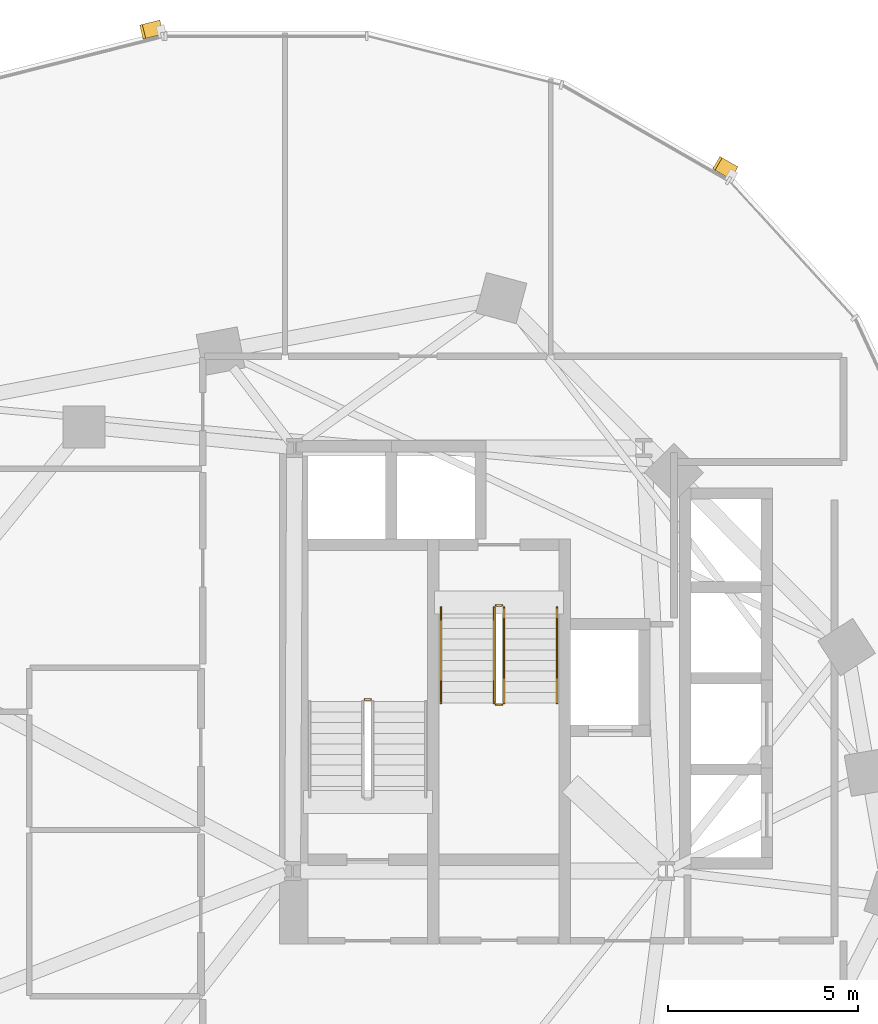
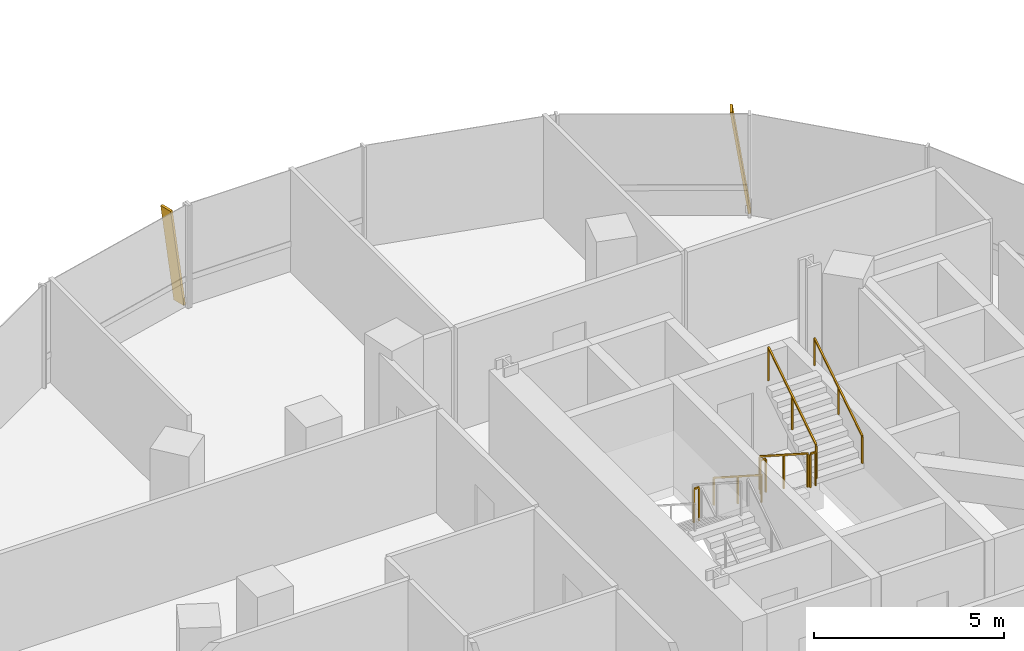
# One storey, part 19 of 21: 7 railings, 2 shading devices.
"""IFC4 building model written with IfcOpenShell, lengths in metres."""

from ifc_helpers import new_model, si_unit, direction, frame, origin, origin_2d, place, context, subcontext, project, spatial, rectangle, extrude, material, material_profile, profile_set, type_object, element, save


model = new_model("IFC4")

# Units and contexts
model_context = context("Model", 3, precision=1e-05, world=origin(), true_north=direction((0.0, 1.0)))
body_context = subcontext(model_context, "Body", "Model", "MODEL_VIEW")
ifc_project = project(units=[si_unit("LENGTHUNIT", "METRE"), si_unit("AREAUNIT", "SQUARE_METRE"), si_unit("VOLUMEUNIT", "CUBIC_METRE"), si_unit("PLANEANGLEUNIT", "RADIAN"), si_unit("MASSUNIT", "GRAM", prefix="KILO"), si_unit("THERMODYNAMICTEMPERATUREUNIT", "KELVIN"), si_unit("POWERUNIT", "WATT")], contexts=[model_context])

# Site, building, storey
site_placement = place(None, origin())
site = spatial("IfcSite", under=ifc_project, at=site_placement, CompositionType="ELEMENT")
building_placement = place(site_placement, origin())
building = spatial("IfcBuilding", under=site, at=building_placement, Name="Cundina Bronze Exchange", CompositionType="ELEMENT")
storey_placement = place(building_placement, frame((0.0, 0.0, 117.800048828125)))
storey = spatial("IfcBuildingStorey", under=building, at=storey_placement, Name="L30", CompositionType="ELEMENT", Elevation=117.800048828125)

# Railings
ifc_material_1 = material(Name="Steel ASTM A36 Painted", Category="steel")
railing_type_1 = type_object("IfcRailingType", Name="RLG-HND-900", PredefinedType="HANDRAIL", material=ifc_material_1)
railing_1_placement = place(storey_placement, frame((-27.389892578125, 10.85009765625, 0.179931640625)))
element("IfcRailing", 1, at=railing_1_placement, inside=storey, type_object=railing_type_1, Name="L30 ST-W2 stair handrail 1", PredefinedType="HANDRAIL", context=body_context, shape_type="SweptSolid", body=[
    extrude(rectangle(XDim=0.048095703125, YDim=0.048095703125, at=origin_2d()), frame((0.0, 0.0, 0.8759765625), z_axis=(0.0, -0.841162588446, 0.540782303519), x_axis=(1.0, 0.0, 0.0)), (0.0, 0.0, 1.0), 2.995849609375),
    extrude(rectangle(XDim=0.0419921875, YDim=0.0419921875, at=origin_2d()), origin(), (0.0, 0.0, 1.0), 0.851806640625),
    extrude(rectangle(XDim=0.0419921875, YDim=0.0419921875, at=origin_2d()), frame((0.0, -1.260009765625, 0.81005859375)), (0.0, 0.0, 1.0), 0.851806640625),
    extrude(rectangle(XDim=0.0419921875, YDim=0.0419921875, at=origin_2d()), frame((0.0, -2.52001953125, 1.6201171875)), (0.0, 0.0, 1.0), 0.851806640625),
])
railing_2_placement = place(storey_placement, frame((-24.330078125, 8.330078125, 1.97998046875)))
element("IfcRailing", 2, at=railing_2_placement, inside=storey, type_object=railing_type_1, Name="L30 ST-W2 stair handrail 2", PredefinedType="HANDRAIL", context=body_context, shape_type="SweptSolid", body=[
    extrude(rectangle(XDim=0.048095703125, YDim=0.048095703125, at=origin_2d()), frame((0.0, 0.0, 0.8759765625), z_axis=(0.0, 0.841199657755, 0.540724639528), x_axis=(-1.0, 0.0, 0.0)), (0.0, 0.0, 1.0), 2.995849609375),
    extrude(rectangle(XDim=0.0419921875, YDim=0.0419921875, at=origin_2d()), origin(), (0.0, 0.0, 1.0), 0.851806640625),
    extrude(rectangle(XDim=0.0419921875, YDim=0.0419921875, at=origin_2d()), frame((0.0, 1.260009765625, 0.81005859375)), (0.0, 0.0, 1.0), 0.851806640625),
    extrude(rectangle(XDim=0.0419921875, YDim=0.0419921875, at=origin_2d()), frame((0.0, 2.52001953125, 1.619873046875)), (0.0, 0.0, 1.0), 0.851806640625),
])
railing_type_2 = type_object("IfcRailingType", Name="RLG-STG-1100", PredefinedType="GUARDRAIL", material=ifc_material_1)
railing_3_placement = place(storey_placement, frame((-29.239990234375, 8.419921875, 1.800048828125)))
element("IfcRailing", 3, at=railing_3_placement, inside=storey, type_object=railing_type_2, Name="L30 ST-W1 stair guard 2", PredefinedType="GUARDRAIL", context=body_context, shape_type="SweptSolid", body=[
    extrude(rectangle(XDim=0.048095703125, YDim=0.048095703125, at=origin_2d()), frame((0.0, 0.0, 1.076171875), z_axis=(-1.0, 0.0, 0.0), x_axis=(0.0, -1.0, 0.0)), (0.0, 0.0, 1.0), 0.159912109375),
    extrude(rectangle(XDim=0.0419921875, YDim=0.0419921875, at=origin_2d()), origin(), (0.0, 0.0, 1.0), 1.052001953125),
    extrude(rectangle(XDim=0.0419921875, YDim=0.0419921875, at=origin_2d()), frame((-0.159912109375, 0.0, 0.0)), (0.0, 0.0, 1.0), 1.052001953125),
])
railing_4_placement = place(storey_placement, frame((-25.989990234375, 10.85009765625, 0.179931640625)))
element("IfcRailing", 4, at=railing_4_placement, inside=storey, type_object=railing_type_2, Name="L30 ST-W2 stair guard 1", PredefinedType="GUARDRAIL", context=body_context, shape_type="SweptSolid", body=[
    extrude(rectangle(XDim=0.048095703125, YDim=0.048095703125, at=origin_2d()), frame((0.0, 0.0, 1.076171875), z_axis=(0.0, -0.841162588446, 0.540782303519), x_axis=(1.0, 0.0, 0.0)), (0.0, 0.0, 1.0), 2.995849609375),
    extrude(rectangle(XDim=0.0419921875, YDim=0.0419921875, at=origin_2d()), origin(), (0.0, 0.0, 1.0), 1.052001953125),
    extrude(rectangle(XDim=0.0419921875, YDim=0.0419921875, at=origin_2d()), frame((0.0, -1.260009765625, 0.81005859375)), (0.0, 0.0, 1.0), 1.052001953125),
    extrude(rectangle(XDim=0.0419921875, YDim=0.0419921875, at=origin_2d()), frame((0.0, -2.52001953125, 1.6201171875)), (0.0, 0.0, 1.0), 1.052001953125),
])
railing_5_placement = place(storey_placement, frame((-25.93994140625, 8.280029296875, 1.800048828125)))
element("IfcRailing", 5, at=railing_5_placement, inside=storey, type_object=railing_type_2, Name="L30 ST-W2 stair guard 2", PredefinedType="GUARDRAIL", context=body_context, shape_type="SweptSolid", body=[
    extrude(rectangle(XDim=0.048095703125, YDim=0.048095703125, at=origin_2d()), frame((0.0, 0.0, 1.076171875), z_axis=(1.0, 0.0, 0.0), x_axis=(0.0, 1.0, 0.0)), (0.0, 0.0, 1.0), 0.159912109375),
    extrude(rectangle(XDim=0.0419921875, YDim=0.0419921875, at=origin_2d()), origin(), (0.0, 0.0, 1.0), 1.052001953125),
    extrude(rectangle(XDim=0.0419921875, YDim=0.0419921875, at=origin_2d()), frame((0.159912109375, 0.0, 0.0)), (0.0, 0.0, 1.0), 1.052001953125),
])
railing_6_placement = place(storey_placement, frame((-25.72998046875, 8.330078125, 1.97998046875)))
element("IfcRailing", 6, at=railing_6_placement, inside=storey, type_object=railing_type_2, Name="L30 ST-W2 stair guard 3", PredefinedType="GUARDRAIL", context=body_context, shape_type="SweptSolid", body=[
    extrude(rectangle(XDim=0.048095703125, YDim=0.048095703125, at=origin_2d()), frame((0.0, 0.0, 1.076171875), z_axis=(0.0, 0.841199657755, 0.540724639528), x_axis=(-1.0, 0.0, 0.0)), (0.0, 0.0, 1.0), 2.995849609375),
    extrude(rectangle(XDim=0.0419921875, YDim=0.0419921875, at=origin_2d()), origin(), (0.0, 0.0, 1.0), 1.052001953125),
    extrude(rectangle(XDim=0.0419921875, YDim=0.0419921875, at=origin_2d()), frame((0.0, 1.260009765625, 0.81005859375)), (0.0, 0.0, 1.0), 1.052001953125),
    extrude(rectangle(XDim=0.0419921875, YDim=0.0419921875, at=origin_2d()), frame((0.0, 2.52001953125, 1.619873046875)), (0.0, 0.0, 1.0), 1.052001953125),
])
railing_7_placement = place(storey_placement, frame((-25.93994140625, 10.89990234375, 0.0)))
element("IfcRailing", 7, at=railing_7_placement, inside=storey, type_object=railing_type_2, Name="L30 ST-W2 stair guard 4", PredefinedType="GUARDRAIL", context=body_context, shape_type="SweptSolid", body=[
    extrude(rectangle(XDim=0.048095703125, YDim=0.048095703125, at=origin_2d()), frame((0.0, 0.0, 1.076171875), z_axis=(1.0, 0.0, 0.0), x_axis=(0.0, 1.0, 0.0)), (0.0, 0.0, 1.0), 0.159912109375),
    extrude(rectangle(XDim=0.0419921875, YDim=0.0419921875, at=origin_2d()), origin(), (0.0, 0.0, 1.0), 1.052001953125),
    extrude(rectangle(XDim=0.0419921875, YDim=0.0419921875, at=origin_2d()), frame((0.159912109375, 0.0, 0.0)), (0.0, 0.0, 1.0), 1.052001953125),
])

# Shading devices
ifc_material_2 = material(Name="Anodised Bronze Aluminium 6063-T6", Category="aluminium")
ifc_material_profile = material_profile(ifc_material_2, rectangle(XDim=0.070068359375, YDim=0.3798828125, at=origin_2d()), Name="FIN70X380", Category="aluminium")
ifc_profile_set = profile_set([ifc_material_profile], Name="Anodised Bronze Aluminium 6063-T6")
shading_device_type = type_object("IfcShadingDeviceType", Name="SHD-FIN-BRZ380", PredefinedType="USERDEFINED", material=ifc_profile_set)
for number, where, z_axis, x_axis, name in (
    (8, (-19.685791015625, 22.314208984375, 0.02001953125), (-0.126324692219, 0.072534823274, 0.989333498649), (0.857958278167, -0.492634108109, 0.145668213594), "L30 Diagonal Bronze Solar Fin 5"),
    (9, (-34.787353515625, 26.138427734375, 0.02001953125), (-0.141217047268, -0.035711761166, 0.989334329575), (0.95914051701, 0.242552848478, 0.145662570088), "L30 Diagonal Bronze Solar Fin 1"),
):
    element("IfcShadingDevice", number, at=place(storey_placement, frame(where, z_axis=z_axis, x_axis=x_axis)), inside=storey, type_object=shading_device_type, Name=name, ObjectType="FIN", PredefinedType="USERDEFINED", context=body_context, shape_type="SweptSolid", body=[
        extrude(rectangle(XDim=0.070068359375, YDim=0.3798828125, at=origin_2d()), origin(), (0.0, 0.0, 1.0), 3.295166015625),
    ])

save(model, "model.ifc")
